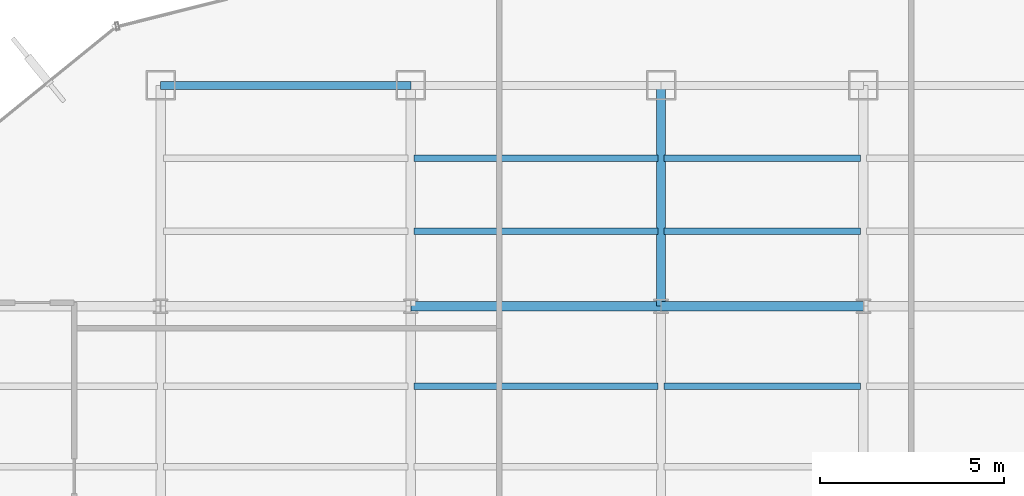
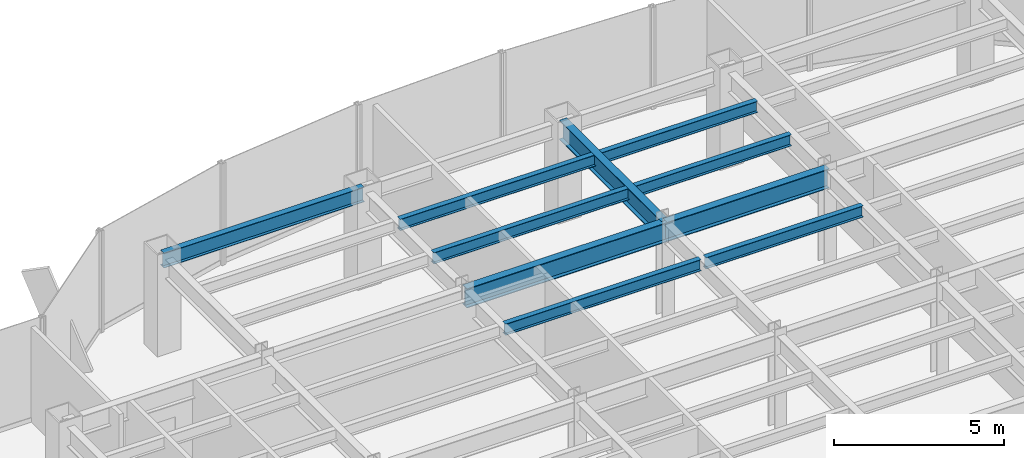
# One storey, part 15 of 26: 10 beams.
"""IFC4 building model written with IfcOpenShell, lengths in metres."""

from ifc_helpers import new_model, si_unit, derived_unit, direction, frame, origin, origin_2d, place, context, subcontext, project, spatial, i_section, extrude, source, transform, mapped, material, material_profile, profile_set, type_object, element, save


model = new_model("IFC4")

# Units and contexts
model_context = context("Model", 3, precision=1e-05, world=origin(), true_north=direction((0.0, 1.0)))
body_context = subcontext(model_context, "Body", "Model", "MODEL_VIEW")
ifc_project = project(units=[si_unit("LENGTHUNIT", "METRE"), si_unit("AREAUNIT", "SQUARE_METRE"), si_unit("VOLUMEUNIT", "CUBIC_METRE"), si_unit("PLANEANGLEUNIT", "RADIAN"), si_unit("MASSUNIT", "GRAM", prefix="KILO"), derived_unit("THERMALTRANSMITTANCEUNIT", [(si_unit("POWERUNIT", "WATT"), 1), (si_unit("LENGTHUNIT", "METRE"), -2), (si_unit("THERMODYNAMICTEMPERATUREUNIT", "KELVIN"), -1)])], contexts=[model_context])

# Site, building, storey
site_placement = place(None, origin())
site = spatial("IfcSite", under=ifc_project, at=site_placement, CompositionType="ELEMENT")
building_placement = place(site_placement, origin())
building = spatial("IfcBuilding", under=site, at=building_placement, Name="Skarnbrae Concourse Arena and Tower", CompositionType="ELEMENT")
storey_placement = place(building_placement, frame((0.0, 0.0, 106.89990234375)))
storey = spatial("IfcBuildingStorey", under=building, at=storey_placement, Name="L26", CompositionType="ELEMENT", Elevation=106.89990234375)

# Beams
ifc_material = material(Name="Steel CSA G40.21 350W", Category="steel")
ifc_material_profile_1 = material_profile(ifc_material, i_section(OverallWidth=0.256103515625, OverallDepth=0.693115234375, WebThickness=0.014404296875, FlangeThickness=0.023681640625, at=origin_2d()), Name="W690X170")
ifc_profile_set_1 = profile_set([ifc_material_profile_1], Name="Steel CSA G40.21 350W")
beam_type_1 = type_object("IfcBeamType", Name="BM-GIRD-W690X170", PredefinedType="BEAM", material=ifc_profile_set_1)
shared_shape_1 = source(origin(), body_context, "Body", "SweptSolid", [
    extrude(i_section(OverallWidth=0.256103515625, OverallDepth=0.693115234375, WebThickness=0.014404296875, FlangeThickness=0.023681640625, at=origin_2d()), origin(), (0.0, 0.0, 1.0), 6.800048828125),
])
beam_1_placement = place(storey_placement, frame((21.199951171875, 34.39990234375, 3.0537109375), z_axis=(1.0, 0.0, 0.0), x_axis=(0.0, 1.0, 0.0)))
element("IfcBeam", 1, at=beam_1_placement, inside=storey, type_object=beam_type_1, Name="L26 Primary E-W girder Y34.4-3", PredefinedType="BEAM", context=body_context, shape_type="MappedRepresentation", body=[
    mapped(shared_shape_1, transform((0.0, 0.0, 0.0))),
])
shared_shape_2 = source(origin(), body_context, "Body", "SweptSolid", [
    extrude(i_section(OverallWidth=0.256103515625, OverallDepth=0.693115234375, WebThickness=0.014404296875, FlangeThickness=0.023681640625, at=origin_2d()), origin(), (0.0, 0.0, 1.0), 5.5),
])
beam_2_placement = place(storey_placement, frame((28.0, 34.39990234375, 3.0537109375), z_axis=(1.0, 0.0, 0.0), x_axis=(0.0, 1.0, 0.0)))
element("IfcBeam", 2, at=beam_2_placement, inside=storey, type_object=beam_type_1, Name="L26 Primary E-W girder Y34.4-4", PredefinedType="BEAM", context=body_context, shape_type="MappedRepresentation", body=[
    mapped(shared_shape_2, transform((0.0, 0.0, 0.0))),
])
ifc_material_profile_2 = material_profile(ifc_material, i_section(OverallWidth=0.208984375, OverallDepth=0.532958984375, WebThickness=0.01025390625, FlangeThickness=0.015625, at=origin_2d()), Name="W530X92")
ifc_profile_set_2 = profile_set([ifc_material_profile_2], Name="Steel CSA G40.21 350W")
beam_type_2 = type_object("IfcBeamType", Name="BM-SPAN-W530X92", PredefinedType="SPANDREL", material=ifc_profile_set_2)
shared_shape_3 = source(origin(), body_context, "Body", "SweptSolid", [
    extrude(i_section(OverallWidth=0.208984375, OverallDepth=0.532958984375, WebThickness=0.01025390625, FlangeThickness=0.015625, at=origin_2d()), origin(), (0.0, 0.0, 1.0), 6.800048828125),
])
beam_3_placement = place(storey_placement, frame((14.39990234375, 40.39990234375, 3.133544921875), z_axis=(1.0, 0.0, 0.0), x_axis=(0.0, 1.0, 0.0)))
element("IfcBeam", 3, at=beam_3_placement, inside=storey, type_object=beam_type_2, Name="L26 Perimeter spandrel Y40.4-1", PredefinedType="SPANDREL", context=body_context, shape_type="MappedRepresentation", body=[
    mapped(shared_shape_3, transform((0.0, 0.0, 0.0))),
])
shared_shape_4 = source(origin(), body_context, "Body", "SweptSolid", [
    extrude(i_section(OverallWidth=0.256103515625, OverallDepth=0.693115234375, WebThickness=0.014404296875, FlangeThickness=0.023681640625, at=origin_2d()), origin(), (0.0, 0.0, 1.0), 6.0),
])
beam_4_placement = place(storey_placement, frame((28.0, 34.39990234375, 3.0537109375), z_axis=(0.0, 1.0, 0.0), x_axis=(-1.0, 0.0, 0.0)))
element("IfcBeam", 4, at=beam_4_placement, inside=storey, type_object=beam_type_1, Name="L26 Primary N-S girder X28.0-4", PredefinedType="BEAM", context=body_context, shape_type="MappedRepresentation", body=[
    mapped(shared_shape_4, transform((0.0, 0.0, 0.0))),
])
ifc_material_profile_3 = material_profile(ifc_material, i_section(OverallWidth=0.177978515625, OverallDepth=0.406982421875, WebThickness=0.0078125, FlangeThickness=0.0126953125, at=origin_2d()), Name="W410X60")
ifc_profile_set_3 = profile_set([ifc_material_profile_3], Name="Steel CSA G40.21 350W")
beam_type_3 = type_object("IfcBeamType", Name="BM-JOIST-W410X60", PredefinedType="JOIST", material=ifc_profile_set_3)
shared_shape_5 = source(origin(), body_context, "Body", "SweptSolid", [
    extrude(i_section(OverallWidth=0.177978515625, OverallDepth=0.406982421875, WebThickness=0.0078125, FlangeThickness=0.0126953125, at=origin_2d()), origin(), (0.0, 0.0, 1.0), 6.639892578125),
])
for number, where, z_axis, x_axis, name in (
    (5, (21.280029296875, 32.221923828125, 3.196533203125), (1.0, 0.0, 0.0), (0.0, 1.0, 0.0), "L26 Secondary floor joist 3.2.3"),
    (6, (21.280029296875, 36.43994140625, 3.196533203125), (1.0, 0.0, 0.0), (0.0, 1.0, 0.0), "L26 Secondary floor joist 4.1.2"),
    (7, (21.280029296875, 38.419921875, 3.196533203125), (1.0, 0.0, 0.0), (0.0, 1.0, 0.0), "L26 Secondary floor joist 4.2.2"),
):
    element("IfcBeam", number, at=place(storey_placement, frame(where, z_axis=z_axis, x_axis=x_axis)), inside=storey, type_object=beam_type_3, Name=name, PredefinedType="JOIST", context=body_context, shape_type="MappedRepresentation", body=[
        mapped(shared_shape_5, transform((0.0, 0.0, 0.0))),
    ])
shared_shape_6 = source(origin(), body_context, "Body", "SweptSolid", [
    extrude(i_section(OverallWidth=0.177978515625, OverallDepth=0.406982421875, WebThickness=0.0078125, FlangeThickness=0.0126953125, at=origin_2d()), origin(), (0.0, 0.0, 1.0), 5.33984375),
])
for number, where, z_axis, x_axis, name in (
    (8, (28.080078125, 32.221923828125, 3.196533203125), (1.0, 0.0, 0.0), (0.0, 1.0, 0.0), "L26 Secondary floor joist 3.2.4"),
    (9, (28.080078125, 36.43994140625, 3.196533203125), (1.0, 0.0, 0.0), (0.0, 1.0, 0.0), "L26 Secondary floor joist 4.1.3"),
    (10, (28.080078125, 38.419921875, 3.196533203125), (1.0, 0.0, 0.0), (0.0, 1.0, 0.0), "L26 Secondary floor joist 4.2.3"),
):
    element("IfcBeam", number, at=place(storey_placement, frame(where, z_axis=z_axis, x_axis=x_axis)), inside=storey, type_object=beam_type_3, Name=name, PredefinedType="JOIST", context=body_context, shape_type="MappedRepresentation", body=[
        mapped(shared_shape_6, transform((0.0, 0.0, 0.0))),
    ])

save(model, "model.ifc")
